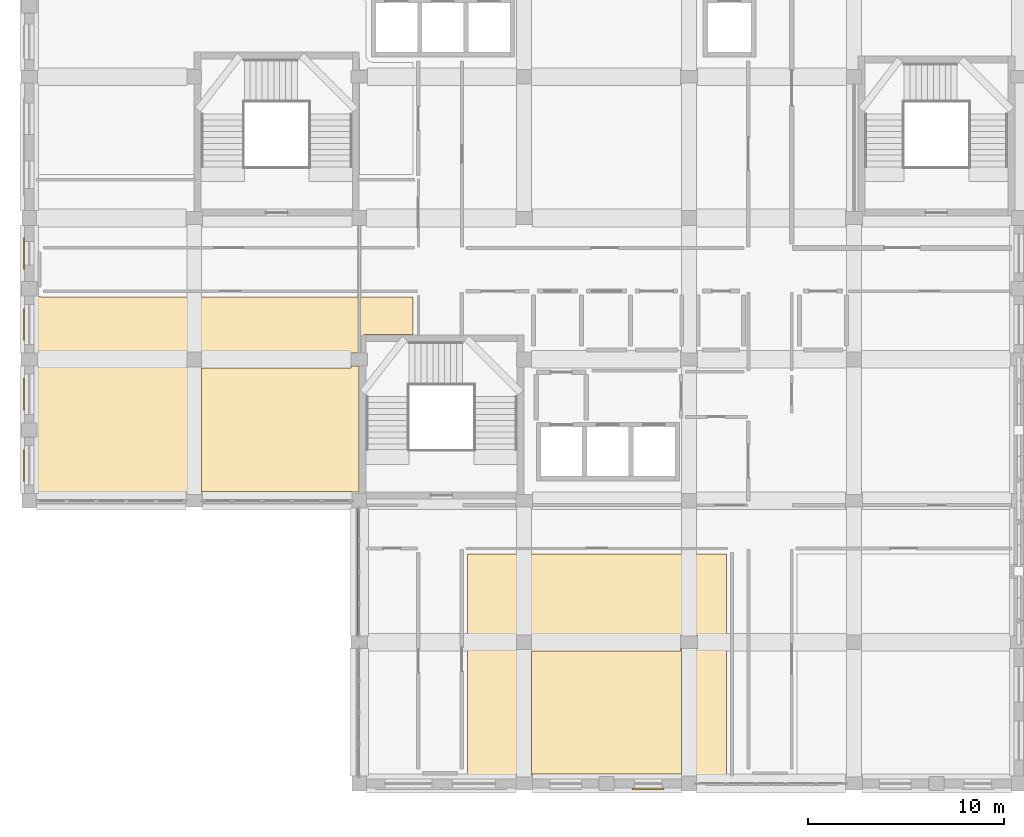
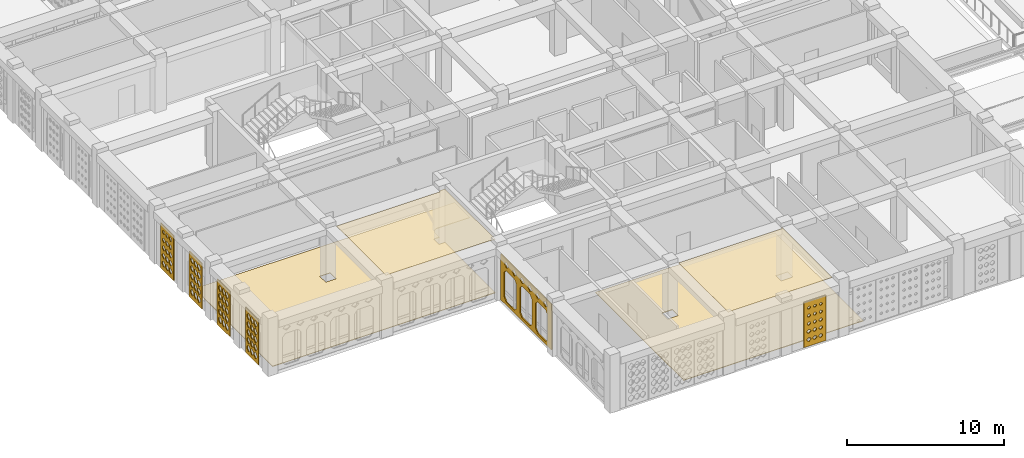
# One storey, part 69 of 100: 10 coverings.
"""IFC4 building model written with IfcOpenShell, lengths in metres."""

from ifc_helpers import new_model, si_unit, derived_unit, direction, frame, origin, place, context, subcontext, project, spatial, polyline, outline, extrude, material, layer, layer_set, type_object, element, save


model = new_model("IFC4")

# Units and contexts
model_context = context("Model", 3, precision=1e-05, world=origin(), true_north=direction((0.0, 1.0)))
body_context = subcontext(model_context, "Body", "Model", "MODEL_VIEW")
ifc_project = project(units=[si_unit("LENGTHUNIT", "METRE"), si_unit("AREAUNIT", "SQUARE_METRE"), si_unit("VOLUMEUNIT", "CUBIC_METRE"), si_unit("PLANEANGLEUNIT", "RADIAN"), si_unit("MASSUNIT", "GRAM", prefix="KILO"), derived_unit("THERMALTRANSMITTANCEUNIT", [(si_unit("POWERUNIT", "WATT"), 1), (si_unit("LENGTHUNIT", "METRE"), -2), (si_unit("THERMODYNAMICTEMPERATUREUNIT", "KELVIN"), -1)])], contexts=[model_context])

# Site, building, storey
site_placement = place(None, origin())
site = spatial("IfcSite", under=ifc_project, at=site_placement, CompositionType="ELEMENT")
building_placement = place(site_placement, origin())
building = spatial("IfcBuilding", under=site, at=building_placement, Name="Veybourne Emporium", CompositionType="ELEMENT")
storey_placement = place(building_placement, frame((0.0, 0.0, 14.39990234375)))
storey = spatial("IfcBuildingStorey", under=building, at=storey_placement, Name="L03", CompositionType="ELEMENT", Elevation=14.39990234375)

# Coverings
ifc_material_1 = material(Name="Mineral Acoustic Ceiling", Category="gypsum")
ifc_layer_1 = layer(ifc_material_1, 0.02490234375)
ifc_layer_set_1 = layer_set([ifc_layer_1], Name="Mineral Acoustic Ceiling")
covering_type_1 = type_object("IfcCoveringType", Name="Ceiling_CLG-01", PredefinedType="CEILING", material=ifc_layer_set_1)
covering_1_placement = place(storey_placement, frame((0.0, 0.0, 4.155029296875)))
element("IfcCovering", 1, at=covering_1_placement, inside=storey, type_object=covering_type_1, Name="L03 coffered acoustic ceiling 01", PredefinedType="CEILING", context=body_context, shape_type="SweptSolid", body=[
    extrude(outline(polyline([(33.22509765625, 0.43994140625), (33.22509765625, 0.472900390625), (25.625, 0.472900390625), (25.625, 0.43994140625), (25.572998046875, 0.43994140625), (25.572998046875, 6.820068359375), (25.574951171875, 6.820068359375), (25.574951171875, 6.751953125), (33.175048828125, 6.751953125), (33.175048828125, 6.8701171875), (33.22705078125, 6.8701171875), (33.22705078125, 0.43994140625), (33.22509765625, 0.43994140625)])), origin(), (0.0, 0.0, 1.0), 0.025146484375),
])
covering_2_placement = place(storey_placement, frame((0.0, 0.0, 4.155029296875)))
element("IfcCovering", 2, at=covering_2_placement, inside=storey, type_object=covering_type_1, Name="L03 coffered acoustic ceiling 05", PredefinedType="CEILING", context=body_context, shape_type="SweptSolid", body=[
    extrude(outline(polyline([(16.7900390625, 21.27001953125), (16.7900390625, 14.85009765625), (16.790283203125, 14.840087890625), (16.790283203125, 14.840087890625), (16.425048828125, 14.840087890625), (16.425048828125, 14.873046875), (8.824951171875, 14.873046875), (8.824951171875, 14.840087890625), (8.77294921875, 14.840087890625), (8.77294921875, 21.219970703125), (8.77490234375, 21.219970703125), (8.77490234375, 21.152099609375), (16.375, 21.152099609375), (16.375, 21.27001953125), (16.7900390625, 21.27001953125)])), origin(), (0.0, 0.0, 1.0), 0.025146484375),
])
ifc_material_2 = material(Name="Venetian Terrazzo Flooring", Category="masonry")
ifc_layer_2 = layer(ifc_material_2, 0.044921875)
ifc_layer_set_2 = layer_set([ifc_layer_2], Name="Venetian Terrazzo Flooring")
covering_type_2 = type_object("IfcCoveringType", Name="Flooring_FLR-01", PredefinedType="FLOORING", material=ifc_layer_set_2)
covering_3_placement = place(storey_placement, origin())
element("IfcCovering", 3, at=covering_3_placement, inside=storey, type_object=covering_type_2, Name="L03 floor finish 01", PredefinedType="FLOORING", context=body_context, shape_type="SweptSolid", body=[
    extrude(outline(polyline([(22.278564453125, 0.453369140625), (22.2861328125, 0.471435546875), (22.29150390625, 0.486083984375), (22.297119140625, 0.5048828125), (22.301025390625, 0.520263671875), (22.3046875, 0.53955078125), (22.30712890625, 0.554931640625), (22.30908203125, 0.574462890625), (22.309814453125, 0.590087890625), (22.31005859375, 0.60009765625), (22.31005859375, 11.68994140625), (35.5, 11.68994140625), (35.5, 0.43994140625), (22.2724609375, 0.43994140625), (22.278564453125, 0.453369140625)]), holes=[polyline([(34.030029296875, 7.530029296875), (33.169921875, 7.530029296875), (33.169921875, 6.8701171875), (34.030029296875, 6.8701171875), (34.030029296875, 7.530029296875)]), polyline([(25.580078125, 7.580078125), (24.820068359375, 7.580078125), (24.820068359375, 6.820068359375), (25.580078125, 6.820068359375), (25.580078125, 7.580078125)])]), origin(), (0.0, 0.0, 1.0), 0.045166015625),
])
covering_4_placement = place(storey_placement, origin())
element("IfcCovering", 4, at=covering_4_placement, inside=storey, type_object=covering_type_2, Name="L03 floor finish 05", PredefinedType="FLOORING", context=body_context, shape_type="SweptSolid", body=[
    extrude(outline(polyline([(0.453369140625, 24.8212890625), (0.471435546875, 24.81396484375), (0.486083984375, 24.80859375), (0.5048828125, 24.802978515625), (0.520263671875, 24.799072265625), (0.53955078125, 24.795166015625), (0.554931640625, 24.79296875), (0.574462890625, 24.791015625), (0.590087890625, 24.790283203125), (0.60009765625, 24.7900390625), (19.5400390625, 24.7900390625), (19.5400390625, 22.860107421875), (17.14990234375, 22.860107421875), (17.14013671875, 22.85986328125), (17.12451171875, 22.85888671875), (17.10498046875, 22.857177734375), (17.089599609375, 22.854736328125), (17.070068359375, 22.850830078125), (17.054931640625, 22.84716796875), (17.0361328125, 22.84130859375), (17.021484375, 22.836181640625), (17.003173828125, 22.82861328125), (16.989013671875, 22.822021484375), (16.9716796875, 22.812744140625), (16.958251953125, 22.8046875), (16.94189453125, 22.793701171875), (16.92919921875, 22.7841796875), (16.914306640625, 22.77197265625), (16.902587890625, 22.761474609375), (16.888671875, 22.747314453125), (16.878173828125, 22.73583984375), (16.86572265625, 22.720703125), (16.8564453125, 22.7080078125), (16.845458984375, 22.691650390625), (16.83740234375, 22.67822265625), (16.828125, 22.660888671875), (16.8212890625, 22.646728515625), (16.81396484375, 22.628662109375), (16.80859375, 22.61376953125), (16.802978515625, 22.594970703125), (16.799072265625, 22.579833984375), (16.795166015625, 22.560546875), (16.79296875, 22.544921875), (16.791015625, 22.525390625), (16.790283203125, 22.509765625), (16.7900390625, 22.5), (16.7900390625, 21.929931640625), (16.3701171875, 21.929931640625), (16.3701171875, 21.27001953125), (16.7900390625, 21.27001953125), (16.7900390625, 14.85009765625), (16.790283203125, 14.840087890625), (16.790283203125, 14.840087890625), (0.43994140625, 14.840087890625), (0.43994140625, 24.82763671875), (0.453369140625, 24.8212890625)]), holes=[polyline([(8.780029296875, 21.97998046875), (8.02001953125, 21.97998046875), (8.02001953125, 21.219970703125), (8.780029296875, 21.219970703125), (8.780029296875, 21.97998046875)])]), origin(), (0.0, 0.0, 1.0), 0.045166015625),
])
ifc_material_3 = material(Name="Patinated Dark Bronze Fretwork", Category="bronze")
ifc_layer_3 = layer(ifc_material_3, 0.074951171875)
ifc_layer_set_3 = layer_set([ifc_layer_3], Name="Patinated Dark Bronze Fretwork")
covering_type_3 = type_object("IfcCoveringType", Name="Fretwork_FRT-02", PredefinedType="CLADDING", material=ifc_layer_set_3)
covering_5_placement = place(storey_placement, frame((16.68798828125, 10.77490234375, 1.815185546875), z_axis=(1.0, 0.0, 0.0), x_axis=(0.0, 1.0, 0.0)))
element("IfcCovering", 5, at=covering_5_placement, inside=storey, type_object=covering_type_3, Name="Corner entrance dark bronze lace fretwork portal L03-016", PredefinedType="CLADDING", context=body_context, shape_type="SweptSolid", body=[
    extrude(outline(polyline([(-3.22998046875, -1.77490234375), (3.22998046875, -1.77490234375), (3.22998046875, 1.77490234375), (-3.22998046875, 1.77490234375), (-3.22998046875, -1.77490234375)]), holes=[polyline([(-2.52197265625, 0.89501953125), (-1.464599609375, 0.89501953125), (-1.2158203125, 0.627685546875), (-1.2158203125, -1.267578125), (-1.464599609375, -1.534912109375), (-2.52197265625, -1.534912109375), (-2.770751953125, -1.267578125), (-2.770751953125, 0.627685546875), (-2.52197265625, 0.89501953125)]), polyline([(-0.528564453125, 0.89501953125), (0.528564453125, 0.89501953125), (0.77734375, 0.627685546875), (0.77734375, -1.267578125), (0.528564453125, -1.534912109375), (-0.528564453125, -1.534912109375), (-0.77734375, -1.267578125), (-0.77734375, 0.627685546875), (-0.528564453125, 0.89501953125)]), polyline([(1.464599609375, 0.89501953125), (2.52197265625, 0.89501953125), (2.770751953125, 0.627685546875), (2.770751953125, -1.267578125), (2.52197265625, -1.534912109375), (1.464599609375, -1.534912109375), (1.2158203125, -1.267578125), (1.2158203125, 0.627685546875), (1.464599609375, 0.89501953125)]), polyline([(-2.47509765625, 1.56298828125), (-2.195068359375, 1.3349609375), (-2.47509765625, 1.10693359375), (-2.7548828125, 1.3349609375), (-2.47509765625, 1.56298828125)]), polyline([(-1.485107421875, 1.56298828125), (-1.205078125, 1.3349609375), (-1.485107421875, 1.10693359375), (-1.764892578125, 1.3349609375), (-1.485107421875, 1.56298828125)]), polyline([(-0.4951171875, 1.56298828125), (-0.215087890625, 1.3349609375), (-0.4951171875, 1.10693359375), (-0.77490234375, 1.3349609375), (-0.4951171875, 1.56298828125)]), polyline([(0.4951171875, 1.56298828125), (0.77490234375, 1.3349609375), (0.4951171875, 1.10693359375), (0.215087890625, 1.3349609375), (0.4951171875, 1.56298828125)]), polyline([(1.485107421875, 1.56298828125), (1.764892578125, 1.3349609375), (1.485107421875, 1.10693359375), (1.205078125, 1.3349609375), (1.485107421875, 1.56298828125)]), polyline([(2.47509765625, 1.56298828125), (2.7548828125, 1.3349609375), (2.47509765625, 1.10693359375), (2.195068359375, 1.3349609375), (2.47509765625, 1.56298828125)])]), origin(), (0.0, 0.0, 1.0), 0.074951171875),
])
ifc_material_4 = material(Name="Warm-White Perforated Aluminium Screen Alloy", Category="aluminium")
ifc_layer_4 = layer(ifc_material_4, 0.06005859375)
ifc_layer_set_4 = layer_set([ifc_layer_4], Name="Warm-White Perforated Aluminium Screen Alloy")
covering_type_4 = type_object("IfcCoveringType", Name="WaveScreen_SCR-03", PredefinedType="CLADDING", material=ifc_layer_set_4)
covering_6_placement = place(storey_placement, frame((-0.298095703125, 16.202392578125, 1.815185546875), z_axis=(1.0, 0.0, 0.0), x_axis=(0.0, 1.0, 0.0)))
element("IfcCovering", 6, at=covering_6_placement, inside=storey, type_object=covering_type_4, Name="L03 wave-perforated aluminium screen SCR-03 (2A.1)", PredefinedType="CLADDING", context=body_context, shape_type="SweptSolid", body=[
    extrude(outline(polyline([(-0.81982421875, -1.7548828125), (0.81982421875, -1.7548828125), (0.81982421875, 1.7548828125), (-0.81982421875, 1.7548828125), (-0.81982421875, -1.7548828125)]), holes=[polyline([(-0.433349609375, -0.982177734375), (-0.2470703125, -1.139404296875), (-0.2470703125, -1.31640625), (-0.433349609375, -1.473876953125), (-0.61962890625, -1.31640625), (-0.61962890625, -1.139404296875), (-0.433349609375, -0.982177734375)]), polyline([(-0.433349609375, -0.358154296875), (-0.2470703125, -0.52197265625), (-0.2470703125, -0.7060546875), (-0.433349609375, -0.869873046875), (-0.61962890625, -0.7060546875), (-0.61962890625, -0.52197265625), (-0.433349609375, -0.358154296875)]), polyline([(-0.433349609375, 0.263916015625), (-0.2470703125, 0.094970703125), (-0.2470703125, -0.094970703125), (-0.433349609375, -0.263916015625), (-0.61962890625, -0.094970703125), (-0.61962890625, 0.094970703125), (-0.433349609375, 0.263916015625)]), polyline([(-0.433349609375, 0.8779296875), (-0.2470703125, 0.708984375), (-0.2470703125, 0.51904296875), (-0.433349609375, 0.35009765625), (-0.61962890625, 0.51904296875), (-0.61962890625, 0.708984375), (-0.433349609375, 0.8779296875)]), polyline([(-0.433349609375, 1.491943359375), (-0.2470703125, 1.322998046875), (-0.2470703125, 1.133056640625), (-0.433349609375, 0.964111328125), (-0.61962890625, 1.133056640625), (-0.61962890625, 1.322998046875), (-0.433349609375, 1.491943359375)]), polyline([(0.0, -0.977294921875), (0.186279296875, -1.1376953125), (0.186279296875, -1.318115234375), (0.0, -1.478515625), (-0.186279296875, -1.318115234375), (-0.186279296875, -1.1376953125), (0.0, -0.977294921875)]), polyline([(0.0, -0.354248046875), (0.186279296875, -0.5205078125), (0.186279296875, -0.70751953125), (0.0, -0.873779296875), (-0.186279296875, -0.70751953125), (-0.186279296875, -0.5205078125), (0.0, -0.354248046875)]), polyline([(0.0, 0.263916015625), (0.186279296875, 0.094970703125), (0.186279296875, -0.094970703125), (0.0, -0.263916015625), (-0.186279296875, -0.094970703125), (-0.186279296875, 0.094970703125), (0.0, 0.263916015625)]), polyline([(0.0, 0.8779296875), (0.186279296875, 0.708984375), (0.186279296875, 0.51904296875), (0.0, 0.35009765625), (-0.186279296875, 0.51904296875), (-0.186279296875, 0.708984375), (0.0, 0.8779296875)]), polyline([(0.0, 1.491943359375), (0.186279296875, 1.322998046875), (0.186279296875, 1.133056640625), (0.0, 0.964111328125), (-0.186279296875, 1.133056640625), (-0.186279296875, 1.322998046875), (0.0, 1.491943359375)]), polyline([(0.433349609375, -0.972900390625), (0.61962890625, -1.13623046875), (0.61962890625, -1.31982421875), (0.433349609375, -1.48291015625), (0.2470703125, -1.31982421875), (0.2470703125, -1.13623046875), (0.433349609375, -0.972900390625)]), polyline([(0.433349609375, -0.3505859375), (0.61962890625, -0.519287109375), (0.61962890625, -0.708740234375), (0.433349609375, -0.877197265625), (0.2470703125, -0.708740234375), (0.2470703125, -0.519287109375), (0.433349609375, -0.3505859375)]), polyline([(0.433349609375, 0.263916015625), (0.61962890625, 0.094970703125), (0.61962890625, -0.094970703125), (0.433349609375, -0.263916015625), (0.2470703125, -0.094970703125), (0.2470703125, 0.094970703125), (0.433349609375, 0.263916015625)]), polyline([(0.433349609375, 0.8779296875), (0.61962890625, 0.708984375), (0.61962890625, 0.51904296875), (0.433349609375, 0.35009765625), (0.2470703125, 0.51904296875), (0.2470703125, 0.708984375), (0.433349609375, 0.8779296875)]), polyline([(0.433349609375, 1.491943359375), (0.61962890625, 1.322998046875), (0.61962890625, 1.133056640625), (0.433349609375, 0.964111328125), (0.2470703125, 1.133056640625), (0.2470703125, 1.322998046875), (0.433349609375, 1.491943359375)])]), origin(), (0.0, 0.0, 1.0), 0.06005859375),
])
covering_7_placement = place(storey_placement, frame((-0.298095703125, 19.822509765625, 1.815185546875), z_axis=(1.0, 0.0, 0.0), x_axis=(0.0, 1.0, 0.0)))
element("IfcCovering", 7, at=covering_7_placement, inside=storey, type_object=covering_type_4, Name="L03 wave-perforated aluminium screen SCR-03 (2B.1)", PredefinedType="CLADDING", context=body_context, shape_type="SweptSolid", body=[
    extrude(outline(polyline([(-0.81982421875, -1.7548828125), (0.81982421875, -1.7548828125), (0.81982421875, 1.7548828125), (-0.81982421875, 1.7548828125), (-0.81982421875, -1.7548828125)]), holes=[polyline([(-0.433349609375, -0.964111328125), (-0.2470703125, -1.133056640625), (-0.2470703125, -1.322998046875), (-0.433349609375, -1.491943359375), (-0.61962890625, -1.322998046875), (-0.61962890625, -1.133056640625), (-0.433349609375, -0.964111328125)]), polyline([(-0.433349609375, -0.35009765625), (-0.2470703125, -0.51904296875), (-0.2470703125, -0.708984375), (-0.433349609375, -0.8779296875), (-0.61962890625, -0.708984375), (-0.61962890625, -0.51904296875), (-0.433349609375, -0.35009765625)]), polyline([(-0.433349609375, 0.263916015625), (-0.2470703125, 0.094970703125), (-0.2470703125, -0.094970703125), (-0.433349609375, -0.263916015625), (-0.61962890625, -0.094970703125), (-0.61962890625, 0.094970703125), (-0.433349609375, 0.263916015625)]), polyline([(-0.433349609375, 0.8779296875), (-0.2470703125, 0.708984375), (-0.2470703125, 0.51904296875), (-0.433349609375, 0.35009765625), (-0.61962890625, 0.51904296875), (-0.61962890625, 0.708984375), (-0.433349609375, 0.8779296875)]), polyline([(-0.433349609375, 1.491943359375), (-0.2470703125, 1.322998046875), (-0.2470703125, 1.133056640625), (-0.433349609375, 0.964111328125), (-0.61962890625, 1.133056640625), (-0.61962890625, 1.322998046875), (-0.433349609375, 1.491943359375)]), polyline([(0.0, -0.964111328125), (0.186279296875, -1.133056640625), (0.186279296875, -1.322998046875), (0.0, -1.491943359375), (-0.186279296875, -1.322998046875), (-0.186279296875, -1.133056640625), (0.0, -0.964111328125)]), polyline([(0.0, -0.35009765625), (0.186279296875, -0.51904296875), (0.186279296875, -0.708984375), (0.0, -0.8779296875), (-0.186279296875, -0.708984375), (-0.186279296875, -0.51904296875), (0.0, -0.35009765625)]), polyline([(0.0, 0.263916015625), (0.186279296875, 0.094970703125), (0.186279296875, -0.094970703125), (0.0, -0.263916015625), (-0.186279296875, -0.094970703125), (-0.186279296875, 0.094970703125), (0.0, 0.263916015625)]), polyline([(0.0, 0.8779296875), (0.186279296875, 0.708984375), (0.186279296875, 0.51904296875), (0.0, 0.35009765625), (-0.186279296875, 0.51904296875), (-0.186279296875, 0.708984375), (0.0, 0.8779296875)]), polyline([(0.0, 1.49072265625), (0.186279296875, 1.322509765625), (0.186279296875, 1.13330078125), (0.0, 0.965087890625), (-0.186279296875, 1.13330078125), (-0.186279296875, 1.322509765625), (0.0, 1.49072265625)]), polyline([(0.433349609375, -0.964111328125), (0.61962890625, -1.133056640625), (0.61962890625, -1.322998046875), (0.433349609375, -1.491943359375), (0.2470703125, -1.322998046875), (0.2470703125, -1.133056640625), (0.433349609375, -0.964111328125)]), polyline([(0.433349609375, -0.35009765625), (0.61962890625, -0.51904296875), (0.61962890625, -0.708984375), (0.433349609375, -0.8779296875), (0.2470703125, -0.708984375), (0.2470703125, -0.51904296875), (0.433349609375, -0.35009765625)]), polyline([(0.433349609375, 0.263916015625), (0.61962890625, 0.094970703125), (0.61962890625, -0.094970703125), (0.433349609375, -0.263916015625), (0.2470703125, -0.094970703125), (0.2470703125, 0.094970703125), (0.433349609375, 0.263916015625)]), polyline([(0.433349609375, 0.8779296875), (0.61962890625, 0.708984375), (0.61962890625, 0.51904296875), (0.433349609375, 0.35009765625), (0.2470703125, 0.51904296875), (0.2470703125, 0.708984375), (0.433349609375, 0.8779296875)]), polyline([(0.433349609375, 1.4873046875), (0.61962890625, 1.3212890625), (0.61962890625, 1.134765625), (0.433349609375, 0.96875), (0.2470703125, 1.134765625), (0.2470703125, 1.3212890625), (0.433349609375, 1.4873046875)])]), origin(), (0.0, 0.0, 1.0), 0.06005859375),
])
ifc_layer_5 = layer(ifc_material_4, 0.06005859375)
ifc_layer_set_5 = layer_set([ifc_layer_5], Name="Warm-White Perforated Aluminium Screen Alloy")
covering_type_5 = type_object("IfcCoveringType", Name="WaveScreen_SCR-04", PredefinedType="CLADDING", material=ifc_layer_set_5)
covering_8_placement = place(storey_placement, frame((-0.298095703125, 23.37744140625, 1.815185546875), z_axis=(1.0, 0.0, 0.0), x_axis=(0.0, 1.0, 0.0)))
element("IfcCovering", 8, at=covering_8_placement, inside=storey, type_object=covering_type_5, Name="L03 wave-perforated aluminium screen SCR-04 (3A.1)", PredefinedType="CLADDING", context=body_context, shape_type="SweptSolid", body=[
    extrude(outline(polyline([(-0.81982421875, -1.7548828125), (0.81982421875, -1.7548828125), (0.81982421875, 1.7548828125), (-0.81982421875, 1.7548828125), (-0.81982421875, -1.7548828125)]), holes=[polyline([(-0.433349609375, -0.964111328125), (-0.2470703125, -1.133056640625), (-0.2470703125, -1.322998046875), (-0.433349609375, -1.491943359375), (-0.61962890625, -1.322998046875), (-0.61962890625, -1.133056640625), (-0.433349609375, -0.964111328125)]), polyline([(-0.433349609375, -0.353271484375), (-0.2470703125, -0.52001953125), (-0.2470703125, -0.7080078125), (-0.433349609375, -0.874755859375), (-0.61962890625, -0.7080078125), (-0.61962890625, -0.52001953125), (-0.433349609375, -0.353271484375)]), polyline([(-0.433349609375, 0.251708984375), (-0.2470703125, 0.0908203125), (-0.2470703125, -0.0908203125), (-0.433349609375, -0.251708984375), (-0.61962890625, -0.0908203125), (-0.61962890625, 0.0908203125), (-0.433349609375, 0.251708984375)]), polyline([(-0.433349609375, 0.855224609375), (-0.2470703125, 0.70068359375), (-0.2470703125, 0.527099609375), (-0.433349609375, 0.372802734375), (-0.61962890625, 0.527099609375), (-0.61962890625, 0.70068359375), (-0.433349609375, 0.855224609375)]), polyline([(-0.433349609375, 1.45703125), (-0.2470703125, 1.310546875), (-0.2470703125, 1.1455078125), (-0.433349609375, 0.998779296875), (-0.61962890625, 1.1455078125), (-0.61962890625, 1.310546875), (-0.433349609375, 1.45703125)]), polyline([(0.0, -0.964111328125), (0.186279296875, -1.133056640625), (0.186279296875, -1.322998046875), (0.0, -1.491943359375), (-0.186279296875, -1.322998046875), (-0.186279296875, -1.133056640625), (0.0, -0.964111328125)]), polyline([(0.0, -0.35693359375), (0.186279296875, -0.521484375), (0.186279296875, -0.70654296875), (0.0, -0.87109375), (-0.186279296875, -0.70654296875), (-0.186279296875, -0.521484375), (0.0, -0.35693359375)]), polyline([(0.0, 0.247314453125), (0.186279296875, 0.089111328125), (0.186279296875, -0.089111328125), (0.0, -0.247314453125), (-0.186279296875, -0.089111328125), (-0.186279296875, 0.089111328125), (0.0, 0.247314453125)]), polyline([(0.0, 0.849853515625), (0.186279296875, 0.698974609375), (0.186279296875, 0.529052734375), (0.0, 0.378173828125), (-0.186279296875, 0.529052734375), (-0.186279296875, 0.698974609375), (0.0, 0.849853515625)]), polyline([(0.0, 1.451171875), (0.186279296875, 1.308349609375), (0.186279296875, 1.147705078125), (0.0, 1.0048828125), (-0.186279296875, 1.147705078125), (-0.186279296875, 1.308349609375), (0.0, 1.451171875)]), polyline([(0.433349609375, -0.966552734375), (0.61962890625, -1.1337890625), (0.61962890625, -1.322021484375), (0.433349609375, -1.489501953125), (0.2470703125, -1.322021484375), (0.2470703125, -1.1337890625), (0.433349609375, -0.966552734375)]), polyline([(0.433349609375, -0.361083984375), (0.61962890625, -0.52294921875), (0.61962890625, -0.705078125), (0.433349609375, -0.86669921875), (0.2470703125, -0.705078125), (0.2470703125, -0.52294921875), (0.433349609375, -0.361083984375)]), polyline([(0.433349609375, 0.2421875), (0.61962890625, 0.087158203125), (0.61962890625, -0.087158203125), (0.433349609375, -0.2421875), (0.2470703125, -0.087158203125), (0.2470703125, 0.087158203125), (0.433349609375, 0.2421875)]), polyline([(0.433349609375, 0.84423828125), (0.61962890625, 0.697021484375), (0.61962890625, 0.531005859375), (0.433349609375, 0.3837890625), (0.2470703125, 0.531005859375), (0.2470703125, 0.697021484375), (0.433349609375, 0.84423828125)]), polyline([(0.433349609375, 1.445068359375), (0.61962890625, 1.30615234375), (0.61962890625, 1.14990234375), (0.433349609375, 1.010986328125), (0.2470703125, 1.14990234375), (0.2470703125, 1.30615234375), (0.433349609375, 1.445068359375)])]), origin(), (0.0, 0.0, 1.0), 0.06005859375),
])
covering_9_placement = place(storey_placement, frame((-0.298095703125, 26.99755859375, 1.815185546875), z_axis=(1.0, 0.0, 0.0), x_axis=(0.0, 1.0, 0.0)))
element("IfcCovering", 9, at=covering_9_placement, inside=storey, type_object=covering_type_5, Name="L03 wave-perforated aluminium screen SCR-04 (3B.1)", PredefinedType="CLADDING", context=body_context, shape_type="SweptSolid", body=[
    extrude(outline(polyline([(-0.81982421875, -1.7548828125), (0.81982421875, -1.7548828125), (0.81982421875, 1.7548828125), (-0.81982421875, 1.7548828125), (-0.81982421875, -1.7548828125)]), holes=[polyline([(-0.433349609375, -0.996337890625), (-0.2470703125, -1.14453125), (-0.2470703125, -1.311279296875), (-0.433349609375, -1.459716796875), (-0.61962890625, -1.311279296875), (-0.61962890625, -1.14453125), (-0.433349609375, -0.996337890625)]), polyline([(-0.433349609375, -0.395263671875), (-0.2470703125, -0.535400390625), (-0.2470703125, -0.692626953125), (-0.433349609375, -0.832763671875), (-0.61962890625, -0.692626953125), (-0.61962890625, -0.535400390625), (-0.433349609375, -0.395263671875)]), polyline([(-0.433349609375, 0.204833984375), (-0.255615234375, 0.07373046875), (-0.255615234375, -0.07373046875), (-0.433349609375, -0.204833984375), (-0.611083984375, -0.07373046875), (-0.611083984375, 0.07373046875), (-0.433349609375, 0.204833984375)]), polyline([(-0.433349609375, 0.8046875), (-0.26708984375, 0.6826171875), (-0.26708984375, 0.54541015625), (-0.433349609375, 0.423095703125), (-0.599365234375, 0.54541015625), (-0.599365234375, 0.6826171875), (-0.433349609375, 0.8046875)]), polyline([(-0.433349609375, 1.40478515625), (-0.27880859375, 1.29150390625), (-0.27880859375, 1.164306640625), (-0.433349609375, 1.05126953125), (-0.587890625, 1.164306640625), (-0.587890625, 1.29150390625), (-0.433349609375, 1.40478515625)]), polyline([(0.0, -1.002197265625), (0.186279296875, -1.146728515625), (0.186279296875, -1.309326171875), (0.0, -1.453857421875), (-0.186279296875, -1.309326171875), (-0.186279296875, -1.146728515625), (0.0, -1.002197265625)]), polyline([(0.0, -0.401611328125), (0.183837890625, -0.53759765625), (0.183837890625, -0.6904296875), (0.0, -0.826416015625), (-0.183837890625, -0.6904296875), (-0.183837890625, -0.53759765625), (0.0, -0.401611328125)]), polyline([(0.0, 0.198486328125), (0.17236328125, 0.071533203125), (0.17236328125, -0.071533203125), (0.0, -0.198486328125), (-0.17236328125, -0.071533203125), (-0.17236328125, 0.071533203125), (0.0, 0.198486328125)]), polyline([(0.0, 0.79833984375), (0.160888671875, 0.680419921875), (0.160888671875, 0.547607421875), (0.0, 0.4296875), (-0.160888671875, 0.547607421875), (-0.160888671875, 0.680419921875), (0.0, 0.79833984375)]), polyline([(0.0, 1.3984375), (0.1494140625, 1.289306640625), (0.1494140625, 1.16650390625), (0.0, 1.0576171875), (-0.1494140625, 1.16650390625), (-0.1494140625, 1.289306640625), (0.0, 1.3984375)]), polyline([(0.433349609375, -1.008056640625), (0.61962890625, -1.148681640625), (0.61962890625, -1.30712890625), (0.433349609375, -1.447998046875), (0.2470703125, -1.30712890625), (0.2470703125, -1.148681640625), (0.433349609375, -1.008056640625)]), polyline([(0.433349609375, -0.40771484375), (0.612060546875, -0.539794921875), (0.612060546875, -0.688232421875), (0.433349609375, -0.8203125), (0.254638671875, -0.688232421875), (0.254638671875, -0.539794921875), (0.433349609375, -0.40771484375)]), polyline([(0.433349609375, 0.192138671875), (0.6005859375, 0.069091796875), (0.6005859375, -0.069091796875), (0.433349609375, -0.192138671875), (0.26611328125, -0.069091796875), (0.26611328125, 0.069091796875), (0.433349609375, 0.192138671875)]), polyline([(0.433349609375, 0.7919921875), (0.589111328125, 0.677978515625), (0.589111328125, 0.5498046875), (0.433349609375, 0.43603515625), (0.277587890625, 0.5498046875), (0.277587890625, 0.677978515625), (0.433349609375, 0.7919921875)]), polyline([(0.433349609375, 1.392333984375), (0.577880859375, 1.287109375), (0.577880859375, 1.168701171875), (0.433349609375, 1.063720703125), (0.288818359375, 1.168701171875), (0.288818359375, 1.287109375), (0.433349609375, 1.392333984375)])]), origin(), (0.0, 0.0, 1.0), 0.06005859375),
])
covering_10_placement = place(storey_placement, frame((31.512451171875, -0.298095703125, 1.815185546875), z_axis=(0.0, 1.0, 0.0), x_axis=(-1.0, 0.0, 0.0)))
element("IfcCovering", 10, at=covering_10_placement, inside=storey, type_object=covering_type_5, Name="L03 wave-perforated aluminium screen SCR-04 (19A.1)", PredefinedType="CLADDING", context=body_context, shape_type="SweptSolid", body=[
    extrude(outline(polyline([(-0.81982421875, -1.7548828125), (0.81982421875, -1.7548828125), (0.81982421875, 1.7548828125), (-0.81982421875, 1.7548828125), (-0.81982421875, -1.7548828125)]), holes=[polyline([(-0.433349609375, -1.072998046875), (-0.296630859375, -1.172119140625), (-0.296630859375, -1.28369140625), (-0.433349609375, -1.3828125), (-0.570068359375, -1.28369140625), (-0.570068359375, -1.172119140625), (-0.433349609375, -1.072998046875)]), polyline([(-0.433349609375, -0.47119140625), (-0.306396484375, -0.5625), (-0.306396484375, -0.665283203125), (-0.433349609375, -0.7568359375), (-0.560302734375, -0.665283203125), (-0.560302734375, -0.5625), (-0.433349609375, -0.47119140625)]), polyline([(-0.433349609375, 0.13232421875), (-0.315185546875, 0.047607421875), (-0.315185546875, -0.047607421875), (-0.433349609375, -0.13232421875), (-0.551513671875, -0.047607421875), (-0.551513671875, 0.047607421875), (-0.433349609375, 0.13232421875)]), polyline([(-0.433349609375, 0.737548828125), (-0.322265625, 0.658447265625), (-0.322265625, 0.569580078125), (-0.433349609375, 0.490478515625), (-0.54443359375, 0.569580078125), (-0.54443359375, 0.658447265625), (-0.433349609375, 0.737548828125)]), polyline([(-0.433349609375, 1.3447265625), (-0.327880859375, 1.27001953125), (-0.327880859375, 1.185791015625), (-0.433349609375, 1.111083984375), (-0.538818359375, 1.185791015625), (-0.538818359375, 1.27001953125), (-0.433349609375, 1.3447265625)]), polyline([(0.0, -1.0673828125), (0.1416015625, -1.170166015625), (0.1416015625, -1.285888671875), (0.0, -1.388671875), (-0.1416015625, -1.285888671875), (-0.1416015625, -1.170166015625), (0.0, -1.0673828125)]), polyline([(0.0, -0.4658203125), (0.131103515625, -0.560791015625), (0.131103515625, -0.667236328125), (0.0, -0.76220703125), (-0.131103515625, -0.667236328125), (-0.131103515625, -0.560791015625), (0.0, -0.4658203125)]), polyline([(0.0, 0.136962890625), (0.1220703125, 0.04931640625), (0.1220703125, -0.04931640625), (0.0, -0.136962890625), (-0.1220703125, -0.04931640625), (-0.1220703125, 0.04931640625), (0.0, 0.136962890625)]), polyline([(0.0, 0.7412109375), (0.1142578125, 0.659912109375), (0.1142578125, 0.568115234375), (0.0, 0.48681640625), (-0.1142578125, 0.568115234375), (-0.1142578125, 0.659912109375), (0.0, 0.7412109375)]), polyline([(0.0, 1.34765625), (0.10791015625, 1.27099609375), (0.10791015625, 1.184814453125), (0.0, 1.1083984375), (-0.10791015625, 1.184814453125), (-0.10791015625, 1.27099609375), (0.0, 1.34765625)]), polyline([(0.433349609375, -1.061279296875), (0.579833984375, -1.16796875), (0.579833984375, -1.2880859375), (0.433349609375, -1.394775390625), (0.286865234375, -1.2880859375), (0.286865234375, -1.16796875), (0.433349609375, -1.061279296875)]), polyline([(0.433349609375, -0.460205078125), (0.569091796875, -0.55859375), (0.569091796875, -0.669189453125), (0.433349609375, -0.767578125), (0.297607421875, -0.669189453125), (0.297607421875, -0.55859375), (0.433349609375, -0.460205078125)]), polyline([(0.433349609375, 0.141845703125), (0.559326171875, 0.051025390625), (0.559326171875, -0.051025390625), (0.433349609375, -0.141845703125), (0.307373046875, -0.051025390625), (0.307373046875, 0.051025390625), (0.433349609375, 0.141845703125)]), polyline([(0.433349609375, 0.745361328125), (0.55078125, 0.661376953125), (0.55078125, 0.566650390625), (0.433349609375, 0.482666015625), (0.31591796875, 0.566650390625), (0.31591796875, 0.661376953125), (0.433349609375, 0.745361328125)]), polyline([(0.433349609375, 1.350830078125), (0.543701171875, 1.272216796875), (0.543701171875, 1.183837890625), (0.433349609375, 1.105224609375), (0.32275390625, 1.183837890625), (0.32275390625, 1.272216796875), (0.433349609375, 1.350830078125)])]), origin(), (0.0, 0.0, 1.0), 0.06005859375),
])

save(model, "model.ifc")
